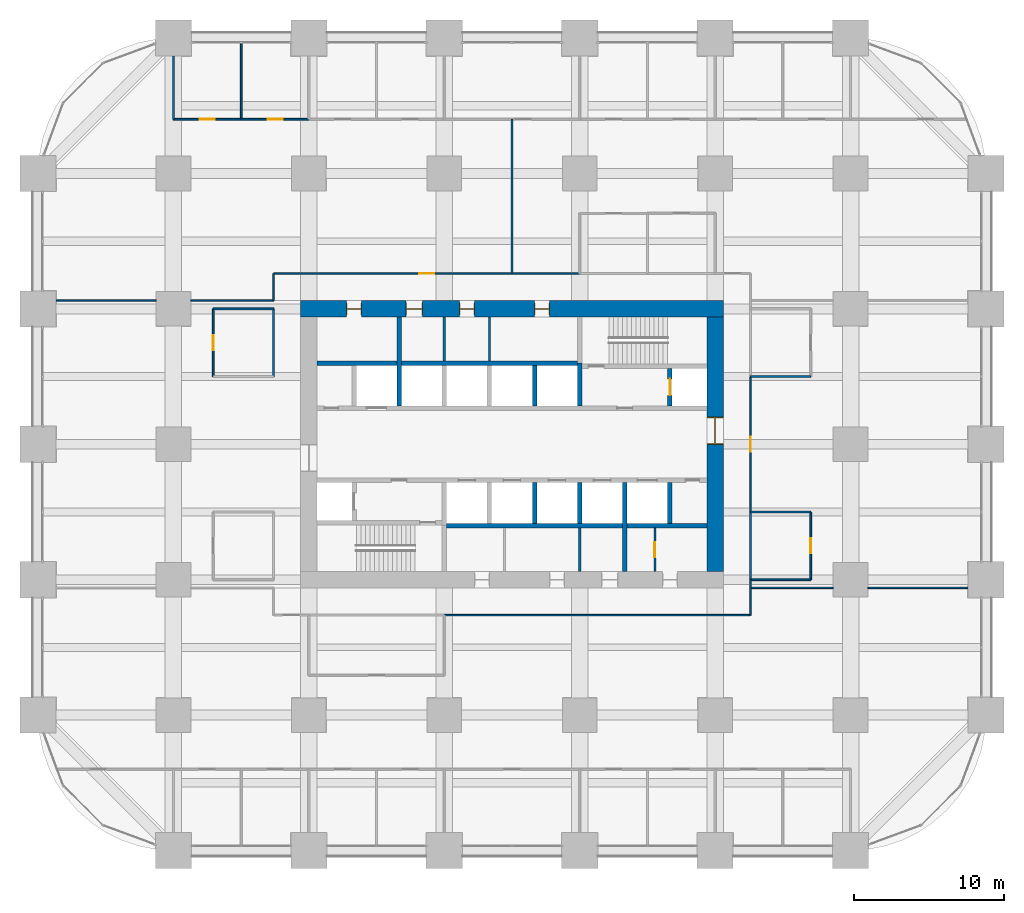
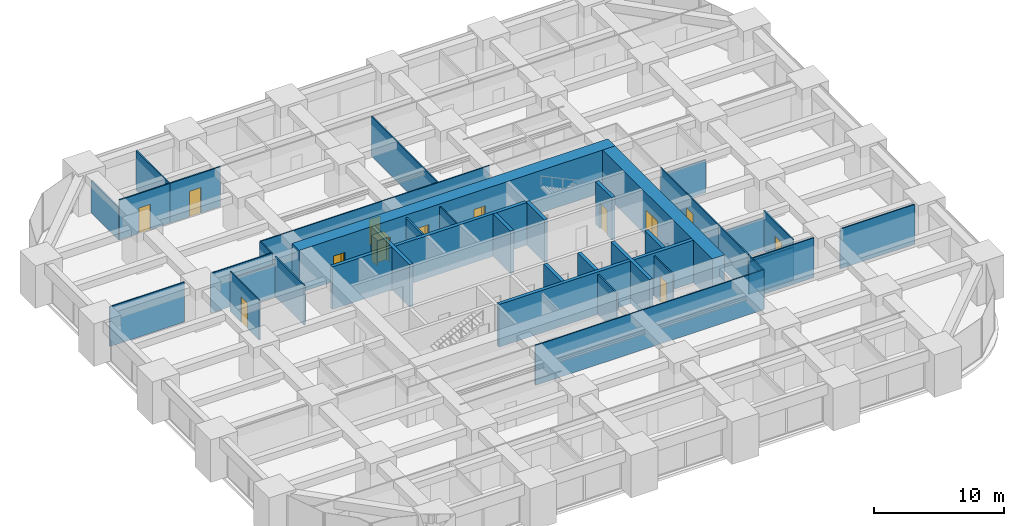
# One storey, part 41 of 45: 38 walls, 13 doors, 13 openings.
"""IFC4 building model written with IfcOpenShell, lengths in metres."""

from ifc_helpers import new_model, si_unit, direction, frame, frame_2d, origin, place, context, subcontext, project, spatial, rectangle, extrude, material, layer, layer_set, type_object, element, fill, save


model = new_model("IFC4")

# Units and contexts
model_context = context("Model", 3, precision=1e-05, world=origin(), true_north=direction((0.0, 1.0)))
body_context = subcontext(model_context, "Body", "Model", "MODEL_VIEW")
ifc_project = project(units=[si_unit("LENGTHUNIT", "METRE"), si_unit("AREAUNIT", "SQUARE_METRE"), si_unit("VOLUMEUNIT", "CUBIC_METRE"), si_unit("PLANEANGLEUNIT", "RADIAN"), si_unit("MASSUNIT", "GRAM", prefix="KILO")], contexts=[model_context])

# Site, building, storey
site_placement = place(None, origin())
site = spatial("IfcSite", under=ifc_project, at=site_placement, CompositionType="ELEMENT")
building_placement = place(site_placement, origin())
building = spatial("IfcBuilding", under=site, at=building_placement, Name="Zorevar Civic Tower", CompositionType="ELEMENT")
storey_placement = place(building_placement, frame((0.0, 0.0, 47.800048828125)))
storey = spatial("IfcBuildingStorey", under=building, at=storey_placement, Name="L11", CompositionType="ELEMENT", Elevation=47.800048828125)

# Wall, openings, doors
ifc_material_1 = material(Name="Concrete C50/60", Category="concrete")
ifc_layer_1 = layer(ifc_material_1, 1.10009765625)
ifc_layer_set_1 = layer_set([ifc_layer_1], Name="Core wall 1100")
wall_type_1 = type_object("IfcWallType", Name="Core wall 1100", PredefinedType="SHEAR", material=ifc_layer_set_1)
wall_1_placement = place(storey_placement, frame((45.550048828125, 36.0, 0.0), z_axis=(0.0, 0.0, 1.0), x_axis=(-1.0, 0.0, 0.0)))
wall_1 = element("IfcWall", 1, at=wall_1_placement, inside=storey, type_object=wall_type_1, Name="Core wall N L11", PredefinedType="SHEAR", context=body_context, shape_type="SweptSolid", body=[
    extrude(rectangle(XDim=28.10009765625, YDim=1.10009765625, at=frame_2d((14.050048828125, 0.0))), origin(), (0.0, 0.0, 1.0), 4.0),
])
opening_1_placement = place(wall_1_placement, frame((11.550048828125, 0.0, 0.0)))
opening_1 = element("IfcOpeningElement", 2, at=opening_1_placement, cuts=wall_1, Name="Opening L11.07", PredefinedType="OPENING", context=body_context, shape_type="SweptSolid", body=[
    extrude(rectangle(XDim=1.0, YDim=2.39990234375, at=frame_2d((0.5, 1.199951171875))), frame((0.0, 0.56005859375, 0.0), z_axis=(0.0, -1.0, 0.0), x_axis=(1.0, 0.0, 0.0)), (0.0, 0.0, 1.0), 1.1201171875),
])
opening_2_placement = place(wall_1_placement, frame((16.550048828125, 0.0, 0.0)))
opening_2 = element("IfcOpeningElement", 3, at=opening_2_placement, cuts=wall_1, Name="Opening L11.08", PredefinedType="OPENING", context=body_context, shape_type="SweptSolid", body=[
    extrude(rectangle(XDim=1.0, YDim=2.39990234375, at=frame_2d((0.5, 1.199951171875))), frame((0.0, 0.56005859375, 0.0), z_axis=(0.0, -1.0, 0.0), x_axis=(1.0, 0.0, 0.0)), (0.0, 0.0, 1.0), 1.1201171875),
])
opening_3_placement = place(wall_1_placement, frame((20.0, 0.0, 0.0)))
opening_3 = element("IfcOpeningElement", 4, at=opening_3_placement, cuts=wall_1, Name="Opening L11.09", PredefinedType="OPENING", context=body_context, shape_type="SweptSolid", body=[
    extrude(rectangle(XDim=1.10009765625, YDim=2.39990234375, at=frame_2d((0.550048828125, 1.199951171875))), frame((0.0, 0.56005859375, 0.0), z_axis=(0.0, -1.0, 0.0), x_axis=(1.0, 0.0, 0.0)), (0.0, 0.0, 1.0), 1.1201171875),
])
opening_4_placement = place(wall_1_placement, frame((24.050048828125, 0.0, 0.0)))
opening_4 = element("IfcOpeningElement", 5, at=opening_4_placement, cuts=wall_1, Name="Opening L11.10", PredefinedType="OPENING", context=body_context, shape_type="SweptSolid", body=[
    extrude(rectangle(XDim=1.0, YDim=2.39990234375, at=frame_2d((0.5, 1.199951171875))), frame((0.0, 0.56005859375, 0.0), z_axis=(0.0, -1.0, 0.0), x_axis=(1.0, 0.0, 0.0)), (0.0, 0.0, 1.0), 1.1201171875),
])
ifc_material_2 = material(Name="Timber door set", Category="wood")
door_type_1 = type_object("IfcDoorType", Name="Door D1 1000x2400", OperationType="SINGLE_SWING_LEFT", PredefinedType="DOOR", material=ifc_material_2)
door_1_placement = place(opening_1_placement, origin())
door_1 = element("IfcDoor", 6, at=door_1_placement, inside=storey, type_object=door_type_1, Name="Door L11 06", OperationType="SINGLE_SWING_RIGHT", OverallHeight=2.39990234375, OverallWidth=1.0, PredefinedType="DOOR", context=body_context, shape_type="SweptSolid", body=[
    extrude(rectangle(XDim=1.0, YDim=2.39990234375, at=frame_2d((0.5, 1.199951171875))), frame((0.0, 0.02490234375, 0.0), z_axis=(0.0, -1.0, 0.0), x_axis=(1.0, 0.0, 0.0)), (0.0, 0.0, 1.0), 0.050048828125),
    extrude(rectangle(XDim=0.04, YDim=2.39990234375, at=frame_2d((0.02001953125, 1.199951171875))), frame((0.0, 0.39990234375, 0.0), z_axis=(0.0, -1.0, 0.0), x_axis=(1.0, 0.0, 0.0)), (0.0, 0.0, 1.0), 0.800048828125),
    extrude(rectangle(XDim=0.04, YDim=2.39990234375, at=frame_2d((0.97998046875, 1.199951171875))), frame((0.0, 0.39990234375, 0.0), z_axis=(0.0, -1.0, 0.0), x_axis=(1.0, 0.0, 0.0)), (0.0, 0.0, 1.0), 0.800048828125),
    extrude(rectangle(XDim=1.0, YDim=0.04, at=frame_2d((0.5, 2.3798828125))), frame((0.0, 0.39990234375, 0.0), z_axis=(0.0, -1.0, 0.0), x_axis=(1.0, 0.0, 0.0)), (0.0, 0.0, 1.0), 0.800048828125),
])
fill(opening_1, door_1)
door_2_placement = place(opening_2_placement, origin())
door_2 = element("IfcDoor", 7, at=door_2_placement, inside=storey, type_object=door_type_1, Name="Door L11 07", OperationType="SINGLE_SWING_LEFT", OverallHeight=2.39990234375, OverallWidth=1.0, PredefinedType="DOOR", context=body_context, shape_type="SweptSolid", body=[
    extrude(rectangle(XDim=1.0, YDim=2.39990234375, at=frame_2d((0.5, 1.199951171875))), frame((0.0, 0.02490234375, 0.0), z_axis=(0.0, -1.0, 0.0), x_axis=(1.0, 0.0, 0.0)), (0.0, 0.0, 1.0), 0.050048828125),
    extrude(rectangle(XDim=0.04, YDim=2.39990234375, at=frame_2d((0.02001953125, 1.199951171875))), frame((0.0, 0.39990234375, 0.0), z_axis=(0.0, -1.0, 0.0), x_axis=(1.0, 0.0, 0.0)), (0.0, 0.0, 1.0), 0.800048828125),
    extrude(rectangle(XDim=0.04, YDim=2.39990234375, at=frame_2d((0.97998046875, 1.199951171875))), frame((0.0, 0.39990234375, 0.0), z_axis=(0.0, -1.0, 0.0), x_axis=(1.0, 0.0, 0.0)), (0.0, 0.0, 1.0), 0.800048828125),
    extrude(rectangle(XDim=1.0, YDim=0.04, at=frame_2d((0.5, 2.3798828125))), frame((0.0, 0.39990234375, 0.0), z_axis=(0.0, -1.0, 0.0), x_axis=(1.0, 0.0, 0.0)), (0.0, 0.0, 1.0), 0.800048828125),
])
fill(opening_2, door_2)
door_3_placement = place(opening_4_placement, origin())
door_3 = element("IfcDoor", 8, at=door_3_placement, inside=storey, type_object=door_type_1, Name="Door L11 09", OperationType="SINGLE_SWING_LEFT", OverallHeight=2.39990234375, OverallWidth=1.0, PredefinedType="DOOR", context=body_context, shape_type="SweptSolid", body=[
    extrude(rectangle(XDim=1.0, YDim=2.39990234375, at=frame_2d((0.5, 1.199951171875))), frame((0.0, 0.02490234375, 0.0), z_axis=(0.0, -1.0, 0.0), x_axis=(1.0, 0.0, 0.0)), (0.0, 0.0, 1.0), 0.050048828125),
    extrude(rectangle(XDim=0.04, YDim=2.39990234375, at=frame_2d((0.02001953125, 1.199951171875))), frame((0.0, 0.39990234375, 0.0), z_axis=(0.0, -1.0, 0.0), x_axis=(1.0, 0.0, 0.0)), (0.0, 0.0, 1.0), 0.800048828125),
    extrude(rectangle(XDim=0.04, YDim=2.39990234375, at=frame_2d((0.97998046875, 1.199951171875))), frame((0.0, 0.39990234375, 0.0), z_axis=(0.0, -1.0, 0.0), x_axis=(1.0, 0.0, 0.0)), (0.0, 0.0, 1.0), 0.800048828125),
    extrude(rectangle(XDim=1.0, YDim=0.04, at=frame_2d((0.5, 2.3798828125))), frame((0.0, 0.39990234375, 0.0), z_axis=(0.0, -1.0, 0.0), x_axis=(1.0, 0.0, 0.0)), (0.0, 0.0, 1.0), 0.800048828125),
])
fill(opening_4, door_3)
ifc_material_3 = material(Name="Timber door set", Category="wood")
door_type_2 = type_object("IfcDoorType", Name="Door D5 1100x2400", OperationType="SINGLE_SWING_LEFT", PredefinedType="DOOR", material=ifc_material_3)
door_4_placement = place(opening_3_placement, origin())
door_4 = element("IfcDoor", 9, at=door_4_placement, inside=storey, type_object=door_type_2, Name="Door L11 08", OperationType="SINGLE_SWING_LEFT", OverallHeight=2.39990234375, OverallWidth=1.10009765625, PredefinedType="DOOR", context=body_context, shape_type="SweptSolid", body=[
    extrude(rectangle(XDim=1.10009765625, YDim=2.39990234375, at=frame_2d((0.550048828125, 1.199951171875))), frame((0.0, 0.02490234375, 0.0), z_axis=(0.0, -1.0, 0.0), x_axis=(1.0, 0.0, 0.0)), (0.0, 0.0, 1.0), 0.050048828125),
    extrude(rectangle(XDim=0.04, YDim=2.39990234375, at=frame_2d((0.02001953125, 1.199951171875))), frame((0.0, 0.43994140625, 0.0), z_axis=(0.0, -1.0, 0.0), x_axis=(1.0, 0.0, 0.0)), (0.0, 0.0, 1.0), 0.880126953125),
    extrude(rectangle(XDim=0.04, YDim=2.39990234375, at=frame_2d((1.080078125, 1.199951171875))), frame((0.0, 0.43994140625, 0.0), z_axis=(0.0, -1.0, 0.0), x_axis=(1.0, 0.0, 0.0)), (0.0, 0.0, 1.0), 0.880126953125),
    extrude(rectangle(XDim=1.10009765625, YDim=0.04, at=frame_2d((0.550048828125, 2.3798828125))), frame((0.0, 0.43994140625, 0.0), z_axis=(0.0, -1.0, 0.0), x_axis=(1.0, 0.0, 0.0)), (0.0, 0.0, 1.0), 0.880126953125),
])
fill(opening_3, door_4)

# Wall, opening, door
wall_2_placement = place(storey_placement, frame((45.0, 18.550048828125, 0.0), z_axis=(0.0, 0.0, 1.0), x_axis=(0.0, 1.0, 0.0)))
wall_2 = element("IfcWall", 10, at=wall_2_placement, inside=storey, type_object=wall_type_1, Name="Core wall E L11", PredefinedType="SHEAR", context=body_context, shape_type="SweptSolid", body=[
    extrude(rectangle(XDim=16.89990234375, YDim=1.10009765625, at=frame_2d((8.449951171875, 0.0))), origin(), (0.0, 0.0, 1.0), 4.0),
])
opening_5_placement = place(wall_2_placement, frame((8.449951171875, 0.0, 0.0)))
opening_5 = element("IfcOpeningElement", 11, at=opening_5_placement, cuts=wall_2, Name="Opening L11.02", PredefinedType="OPENING", context=body_context, shape_type="SweptSolid", body=[
    extrude(rectangle(XDim=1.800048828125, YDim=2.39990234375, at=frame_2d((0.89990234375, 1.199951171875))), frame((0.0, 0.56005859375, 0.0), z_axis=(0.0, -1.0, 0.0), x_axis=(1.0, 0.0, 0.0)), (0.0, 0.0, 1.0), 1.1201171875),
])
ifc_material_4 = material(Name="Steel door set", Category="steel")
door_type_3 = type_object("IfcDoorType", Name="Fire door FD2 1800x2400", OperationType="DOUBLE_DOOR_DOUBLE_SWING", PredefinedType="DOOR", material=ifc_material_4)
door_5_placement = place(opening_5_placement, origin())
door_5 = element("IfcDoor", 12, at=door_5_placement, inside=storey, type_object=door_type_3, Name="Door L11 01", OperationType="DOUBLE_DOOR_DOUBLE_SWING", OverallHeight=2.39990234375, OverallWidth=1.800048828125, PredefinedType="DOOR", context=body_context, shape_type="SweptSolid", body=[
    extrude(rectangle(XDim=1.800048828125, YDim=2.39990234375, at=frame_2d((0.89990234375, 1.199951171875))), frame((0.0, 0.030029296875, 0.0), z_axis=(0.0, -1.0, 0.0), x_axis=(1.0, 0.0, 0.0)), (0.0, 0.0, 1.0), 0.06005859375),
    extrude(rectangle(XDim=0.04, YDim=2.39990234375, at=frame_2d((0.02001953125, 1.199951171875))), frame((0.0, 0.5498046875, 0.0), z_axis=(0.0, -1.0, 0.0), x_axis=(1.0, 0.0, 0.0)), (0.0, 0.0, 1.0), 1.099609375),
    extrude(rectangle(XDim=0.04, YDim=2.39990234375, at=frame_2d((1.780029296875, 1.199951171875))), frame((0.0, 0.5498046875, 0.0), z_axis=(0.0, -1.0, 0.0), x_axis=(1.0, 0.0, 0.0)), (0.0, 0.0, 1.0), 1.099609375),
    extrude(rectangle(XDim=1.800048828125, YDim=0.04, at=frame_2d((0.89990234375, 2.3798828125))), frame((0.0, 0.5498046875, 0.0), z_axis=(0.0, -1.0, 0.0), x_axis=(1.0, 0.0, 0.0)), (0.0, 0.0, 1.0), 1.099609375),
])
fill(opening_5, door_5)

# Walls
ifc_material_5 = material(Name="Laminated glass in black aluminium frame", Category="aluminium")
ifc_layer_2 = layer(ifc_material_5, 0.10009765625)
ifc_layer_set_2 = layer_set([ifc_layer_2], Name="Glazed partition 100")
wall_type_2 = type_object("IfcWallType", Name="Glazed partition 100", PredefinedType="PARTITIONING", material=ifc_layer_set_2)
wall_3_placement = place(storey_placement, frame((27.0, 15.64990234375, 0.0), z_axis=(0.0, 0.0, 1.0), x_axis=(1.0, 0.0, 0.0)))
element("IfcWall", 13, at=wall_3_placement, inside=storey, type_object=wall_type_2, Name="Glazed partition 100 L11", PredefinedType="PARTITIONING", context=body_context, shape_type="SweptSolid", body=[
    extrude(rectangle(XDim=20.35009765625, YDim=0.10009765625, at=frame_2d((10.175048828125, 0.0))), origin(), (0.0, 0.0, 1.0), 3.75),
])
wall_4_placement = place(storey_placement, frame((47.35009765625, 17.449951171875, 0.0), z_axis=(0.0, 0.0, 1.0), x_axis=(1.0, 0.0, 0.0)))
element("IfcWall", 14, at=wall_4_placement, inside=storey, type_object=wall_type_2, Name="Glazed partition 100 L11", PredefinedType="PARTITIONING", context=body_context, shape_type="SweptSolid", body=[
    extrude(rectangle(XDim=5.5, YDim=0.10009765625, at=frame_2d((2.75, 0.0))), origin(), (0.0, 0.0, 1.0), 3.75),
])
for number, where, z_axis, x_axis, name in (
    (15, (55.14990234375, 17.449951171875, 0.0), (0.0, 0.0, 1.0), (1.0, 0.0, 0.0), "Glazed partition 100 L11"),
    (16, (1.199951171875, 36.550048828125, 0.0), (0.0, 0.0, 1.0), (1.0, 0.0, 0.0), "Glazed partition 100 L11"),
):
    element("IfcWall", number, at=place(storey_placement, frame(where, z_axis=z_axis, x_axis=x_axis)), inside=storey, type_object=wall_type_2, Name=name, PredefinedType="PARTITIONING", context=body_context, shape_type="SweptSolid", body=[
        extrude(rectangle(XDim=6.650146484375, YDim=0.10009765625, at=frame_2d((3.3251953125, 0.0))), origin(), (0.0, 0.0, 1.0), 3.75),
    ])
wall_5_placement = place(storey_placement, frame((10.14990234375, 36.550048828125, 0.0), z_axis=(0.0, 0.0, 1.0), x_axis=(1.0, 0.0, 0.0)))
element("IfcWall", 17, at=wall_5_placement, inside=storey, type_object=wall_type_2, Name="Glazed partition 100 L11", PredefinedType="PARTITIONING", context=body_context, shape_type="SweptSolid", body=[
    extrude(rectangle(XDim=5.5, YDim=0.10009765625, at=frame_2d((2.75, 0.0))), origin(), (0.0, 0.0, 1.0), 3.75),
])

# Wall, opening, door
wall_6_placement = place(storey_placement, frame((15.64990234375, 38.35009765625, 0.0), z_axis=(0.0, 0.0, 1.0), x_axis=(1.0, 0.0, 0.0)))
wall_6 = element("IfcWall", 18, at=wall_6_placement, inside=storey, type_object=wall_type_2, Name="Glazed partition 100 L11", PredefinedType="PARTITIONING", context=body_context, shape_type="SweptSolid", body=[
    extrude(rectangle(XDim=20.35009765625, YDim=0.10009765625, at=frame_2d((10.175048828125, 0.0))), origin(), (0.0, 0.0, 1.0), 3.75),
])
opening_6_placement = place(wall_6_placement, frame((9.675048828125, 0.0, 0.0)))
opening_6 = element("IfcOpeningElement", 19, at=opening_6_placement, cuts=wall_6, Name="Opening L11.29", PredefinedType="OPENING", context=body_context, shape_type="SweptSolid", body=[
    extrude(rectangle(XDim=1.0, YDim=2.39990234375, at=frame_2d((0.5, 1.199951171875))), frame((0.0, 0.06005859375, 0.0), z_axis=(0.0, -1.0, 0.0), x_axis=(1.0, 0.0, 0.0)), (0.0, 0.0, 1.0), 0.1201171875),
])
ifc_material_6 = material(Name="Timber door set", Category="wood")
door_type_4 = type_object("IfcDoorType", Name="Glazed door GD1 1000x2400", OperationType="SINGLE_SWING_LEFT", PredefinedType="DOOR", material=ifc_material_6)
door_6_placement = place(opening_6_placement, origin())
door_6 = element("IfcDoor", 20, at=door_6_placement, inside=storey, type_object=door_type_4, Name="Door L11 D1", OperationType="SINGLE_SWING_LEFT", OverallHeight=2.39990234375, OverallWidth=1.0, PredefinedType="DOOR", context=body_context, shape_type="SweptSolid", body=[
    extrude(rectangle(XDim=1.0, YDim=2.39990234375, at=frame_2d((0.5, 1.199951171875))), frame((0.0, 0.02001953125, 0.0), z_axis=(0.0, -1.0, 0.0), x_axis=(1.0, 0.0, 0.0)), (0.0, 0.0, 1.0), 0.0400390625),
])
fill(opening_6, door_6)

# Walls
wall_7_placement = place(storey_placement, frame((15.64990234375, 36.550048828125, 0.0), z_axis=(0.0, 0.0, 1.0), x_axis=(0.0, 1.0, 0.0)))
element("IfcWall", 21, at=wall_7_placement, inside=storey, type_object=wall_type_2, Name="Glazed partition 100 L11", PredefinedType="PARTITIONING", context=body_context, shape_type="SweptSolid", body=[
    extrude(rectangle(XDim=1.800048828125, YDim=0.10009765625, at=frame_2d((0.89990234375, 0.0))), origin(), (0.0, 0.0, 1.0), 3.75),
])
wall_8_placement = place(storey_placement, frame((31.5, 38.35009765625, 0.0), z_axis=(0.0, 0.0, 1.0), x_axis=(0.0, 1.0, 0.0)))
element("IfcWall", 22, at=wall_8_placement, inside=storey, type_object=wall_type_2, Name="Glazed partition 100 L11", PredefinedType="PARTITIONING", context=body_context, shape_type="SweptSolid", body=[
    extrude(rectangle(XDim=10.260009765625, YDim=0.10009765625, at=frame_2d((5.1298828125, 0.0))), origin(), (0.0, 0.0, 1.0), 3.75),
])
wall_9_placement = place(storey_placement, frame((47.35009765625, 15.64990234375, 0.0), z_axis=(0.0, 0.0, 1.0), x_axis=(0.0, 1.0, 0.0)))
element("IfcWall", 23, at=wall_9_placement, inside=storey, type_object=wall_type_2, Name="Glazed partition 100 L11", PredefinedType="PARTITIONING", context=body_context, shape_type="SweptSolid", body=[
    extrude(rectangle(XDim=2.35009765625, YDim=0.10009765625, at=frame_2d((1.175048828125, 0.0))), origin(), (0.0, 0.0, 1.0), 3.75),
])

# Wall, opening, door
wall_10_placement = place(storey_placement, frame((47.35009765625, 22.5, 0.0), z_axis=(0.0, 0.0, 1.0), x_axis=(0.0, 1.0, 0.0)))
wall_10 = element("IfcWall", 24, at=wall_10_placement, inside=storey, type_object=wall_type_2, Name="Glazed partition 100 L11", PredefinedType="PARTITIONING", context=body_context, shape_type="SweptSolid", body=[
    extrude(rectangle(XDim=9.0, YDim=0.10009765625, at=frame_2d((4.5, 0.0))), origin(), (0.0, 0.0, 1.0), 3.75),
])
opening_7_placement = place(wall_10_placement, frame((4.0, 0.0, 0.0)))
opening_7 = element("IfcOpeningElement", 25, at=opening_7_placement, cuts=wall_10, Name="Opening L11.45", PredefinedType="OPENING", context=body_context, shape_type="SweptSolid", body=[
    extrude(rectangle(XDim=1.0, YDim=2.39990234375, at=frame_2d((0.5, 1.199951171875))), frame((0.0, 0.06005859375, 0.0), z_axis=(0.0, -1.0, 0.0), x_axis=(1.0, 0.0, 0.0)), (0.0, 0.0, 1.0), 0.1201171875),
])
door_7_placement = place(opening_7_placement, origin())
door_7 = element("IfcDoor", 26, at=door_7_placement, inside=storey, type_object=door_type_4, Name="Door L11 D1", OperationType="SINGLE_SWING_LEFT", OverallHeight=2.39990234375, OverallWidth=1.0, PredefinedType="DOOR", context=body_context, shape_type="SweptSolid", body=[
    extrude(rectangle(XDim=1.0, YDim=2.39990234375, at=frame_2d((0.5, 1.199951171875))), frame((0.0, 0.02001953125, 0.0), z_axis=(0.0, -1.0, 0.0), x_axis=(1.0, 0.0, 0.0)), (0.0, 0.0, 1.0), 0.0400390625),
])
fill(opening_7, door_7)

ifc_material_7 = material(Name="Concrete C40/50", Category="concrete")
ifc_layer_3 = layer(ifc_material_7, 0.300048828125)
ifc_layer_set_3 = layer_set([ifc_layer_3], Name="Inner core wall 300")
wall_type_3 = type_object("IfcWallType", Name="Inner core wall 300", PredefinedType="SHEAR", material=ifc_layer_set_3)
wall_11_placement = place(storey_placement, frame((42.0, 29.550048828125, 0.0), z_axis=(0.0, 0.0, 1.0), x_axis=(0.0, 1.0, 0.0)))
wall_11 = element("IfcWall", 27, at=wall_11_placement, inside=storey, type_object=wall_type_3, Name="Inner core wall N02 L11", PredefinedType="SHEAR", context=body_context, shape_type="SweptSolid", body=[
    extrude(rectangle(XDim=2.5, YDim=0.300048828125, at=frame_2d((1.25, 0.0))), origin(), (0.0, 0.0, 1.0), 4.0),
])
opening_8_placement = place(wall_11_placement, frame((0.699951171875, 0.0, 0.0)))
opening_8 = element("IfcOpeningElement", 28, at=opening_8_placement, cuts=wall_11, Name="Opening L11.FL2", PredefinedType="OPENING", context=body_context, shape_type="SweptSolid", body=[
    extrude(rectangle(XDim=1.10009765625, YDim=2.39990234375, at=frame_2d((0.550048828125, 1.199951171875))), frame((0.0, 0.159912109375, 0.0), z_axis=(0.0, -1.0, 0.0), x_axis=(1.0, 0.0, 0.0)), (0.0, 0.0, 1.0), 0.320068359375),
])
ifc_material_8 = material(Name="Steel door set", Category="steel")
door_type_5 = type_object("IfcDoorType", Name="Firefighting lift landing door LD3 1100x2400", OperationType="DOUBLE_DOOR_SLIDING", PredefinedType="DOOR", material=ifc_material_8)
door_8_placement = place(opening_8_placement, origin())
door_8 = element("IfcDoor", 29, at=door_8_placement, inside=storey, type_object=door_type_5, Name="Landing door FL2 L11", OperationType="DOUBLE_DOOR_SLIDING", OverallHeight=2.39990234375, OverallWidth=1.10009765625, PredefinedType="DOOR", context=body_context, shape_type="SweptSolid", body=[
    extrude(rectangle(XDim=1.10009765625, YDim=2.39990234375, at=frame_2d((0.550048828125, 1.199951171875))), frame((0.0, 0.030029296875, 0.0), z_axis=(0.0, -1.0, 0.0), x_axis=(1.0, 0.0, 0.0)), (0.0, 0.0, 1.0), 0.06005859375),
])
fill(opening_8, door_8)

# Walls
for number, where, z_axis, x_axis, name in (
    (30, (27.14990234375, 21.60009765625, 0.0), (0.0, 0.0, 1.0), (1.0, 0.0, 0.0), "Inner core wall S04 L11"),
    (31, (18.550048828125, 32.39990234375, 0.0), (0.0, 0.0, 1.0), (1.0, 0.0, 0.0), "Inner core wall N04 L11"),
):
    element("IfcWall", number, at=place(storey_placement, frame(where, z_axis=z_axis, x_axis=x_axis)), inside=storey, type_object=wall_type_3, Name=name, PredefinedType="SHEAR", context=body_context, shape_type="SweptSolid", body=[
        extrude(rectangle(XDim=17.300048828125, YDim=0.300048828125, at=frame_2d((8.64990234375, 0.0))), origin(), (0.0, 0.0, 1.0), 4.0),
    ])
for number, where, z_axis, x_axis, name in (
    (32, (33.0, 29.550048828125, 0.0), (0.0, 0.0, 1.0), (0.0, 1.0, 0.0), "Inner core wall N05 L11"),
    (33, (33.0, 21.75, 0.0), (0.0, 0.0, 1.0), (0.0, 1.0, 0.0), "Inner core wall S06 L11"),
    (34, (36.0, 21.75, 0.0), (0.0, 0.0, 1.0), (0.0, 1.0, 0.0), "Inner core wall S07 L11"),
):
    element("IfcWall", number, at=place(storey_placement, frame(where, z_axis=z_axis, x_axis=x_axis)), inside=storey, type_object=wall_type_3, Name=name, PredefinedType="SHEAR", context=body_context, shape_type="SweptSolid", body=[
        extrude(rectangle(XDim=2.699951171875, YDim=0.300048828125, at=frame_2d((1.35009765625, 0.0))), origin(), (0.0, 0.0, 1.0), 4.0),
    ])
for number, where, z_axis, x_axis, name in (
    (35, (39.0, 18.550048828125, 0.0), (0.0, 0.0, 1.0), (0.0, 1.0, 0.0), "Inner core wall S08 L11"),
    (36, (24.0, 29.550048828125, 0.0), (0.0, 0.0, 1.0), (0.0, 1.0, 0.0), "Inner core wall N08 L11"),
):
    element("IfcWall", number, at=place(storey_placement, frame(where, z_axis=z_axis, x_axis=x_axis)), inside=storey, type_object=wall_type_3, Name=name, PredefinedType="SHEAR", context=body_context, shape_type="SweptSolid", body=[
        extrude(rectangle(XDim=5.89990234375, YDim=0.300048828125, at=frame_2d((2.949951171875, 0.0))), origin(), (0.0, 0.0, 1.0), 4.0),
    ])
wall_12_placement = place(storey_placement, frame((42.0, 21.75, 0.0), z_axis=(0.0, 0.0, 1.0), x_axis=(0.0, 1.0, 0.0)))
element("IfcWall", 37, at=wall_12_placement, inside=storey, type_object=wall_type_3, Name="Inner core wall S09 L11", PredefinedType="SHEAR", context=body_context, shape_type="SweptSolid", body=[
    extrude(rectangle(XDim=2.699951171875, YDim=0.300048828125, at=frame_2d((1.35009765625, 0.0))), origin(), (0.0, 0.0, 1.0), 4.0),
])
wall_13_placement = place(storey_placement, frame((36.0, 29.550048828125, 0.0), z_axis=(0.0, 0.0, 1.0), x_axis=(0.0, 1.0, 0.0)))
element("IfcWall", 38, at=wall_13_placement, inside=storey, type_object=wall_type_3, Name="Inner core wall N10 L11", PredefinedType="SHEAR", context=body_context, shape_type="SweptSolid", body=[
    extrude(rectangle(XDim=2.849853515625, YDim=0.300048828125, at=frame_2d((1.4248046875, 0.0))), origin(), (0.0, 0.0, 1.0), 4.0),
])
ifc_material_9 = material(Name="Gypsum board on steel studs", Category="steel")
ifc_layer_4 = layer(ifc_material_9, 0.1201171875)
ifc_layer_set_4 = layer_set([ifc_layer_4], Name="Partition 120")
wall_type_4 = type_object("IfcWallType", Name="Partition 120", PredefinedType="PARTITIONING", material=ifc_layer_set_4)
wall_14_placement = place(storey_placement, frame((47.35009765625, 18.0, 0.0), z_axis=(0.0, 0.0, 1.0), x_axis=(1.0, 0.0, 0.0)))
element("IfcWall", 39, at=wall_14_placement, inside=storey, type_object=wall_type_4, Name="Partition 120 L11", PredefinedType="PARTITIONING", context=body_context, shape_type="SweptSolid", body=[
    extrude(rectangle(XDim=4.0, YDim=0.1201171875, at=frame_2d((2.0, 0.0))), origin(), (0.0, 0.0, 1.0), 3.050048828125),
])
for number, where, z_axis, x_axis, name in (
    (40, (47.35009765625, 22.5, 0.0), (0.0, 0.0, 1.0), (1.0, 0.0, 0.0), "Partition 120 L11"),
    (41, (47.35009765625, 31.5, 0.0), (0.0, 0.0, 1.0), (1.0, 0.0, 0.0), "Partition 120 L11"),
):
    element("IfcWall", number, at=place(storey_placement, frame(where, z_axis=z_axis, x_axis=x_axis)), inside=storey, type_object=wall_type_4, Name=name, PredefinedType="PARTITIONING", context=body_context, shape_type="SweptSolid", body=[
        extrude(rectangle(XDim=4.0, YDim=0.1201171875, at=frame_2d((2.0, 0.0))), origin(), (0.0, 0.0, 1.0), 3.099853515625),
    ])
wall_15_placement = place(storey_placement, frame((11.64990234375, 36.0, 0.0), z_axis=(0.0, 0.0, 1.0), x_axis=(1.0, 0.0, 0.0)))
element("IfcWall", 42, at=wall_15_placement, inside=storey, type_object=wall_type_4, Name="Partition 120 L11", PredefinedType="PARTITIONING", context=body_context, shape_type="SweptSolid", body=[
    extrude(rectangle(XDim=4.0, YDim=0.1201171875, at=frame_2d((2.0, 0.0))), origin(), (0.0, 0.0, 1.0), 3.050048828125),
])

# Wall, opening, door
wall_16_placement = place(storey_placement, frame((9.0, 48.60009765625, 0.0), z_axis=(0.0, 0.0, 1.0), x_axis=(1.0, 0.0, 0.0)))
wall_16 = element("IfcWall", 43, at=wall_16_placement, inside=storey, type_object=wall_type_4, Name="Partition 120 L11", PredefinedType="PARTITIONING", context=body_context, shape_type="SweptSolid", body=[
    extrude(rectangle(XDim=4.5, YDim=0.1201171875, at=frame_2d((2.25, 0.0))), origin(), (0.0, 0.0, 1.0), 3.75),
])
opening_9_placement = place(wall_16_placement, frame((1.75, 0.0, 0.0)))
opening_9 = element("IfcOpeningElement", 44, at=opening_9_placement, cuts=wall_16, Name="Opening L11.33", PredefinedType="OPENING", context=body_context, shape_type="SweptSolid", body=[
    extrude(rectangle(XDim=1.0, YDim=2.39990234375, at=frame_2d((0.5, 1.199951171875))), frame((0.0, 0.070068359375, 0.0), z_axis=(0.0, -1.0, 0.0), x_axis=(1.0, 0.0, 0.0)), (0.0, 0.0, 1.0), 0.14013671875),
])
door_9_placement = place(opening_9_placement, origin())
door_9 = element("IfcDoor", 45, at=door_9_placement, inside=storey, type_object=door_type_1, Name="Door L11 D1", OperationType="SINGLE_SWING_LEFT", OverallHeight=2.39990234375, OverallWidth=1.0, PredefinedType="DOOR", context=body_context, shape_type="SweptSolid", body=[
    extrude(rectangle(XDim=1.0, YDim=2.39990234375, at=frame_2d((0.5, 1.199951171875))), frame((0.0, 0.02490234375, 0.0), z_axis=(0.0, -1.0, 0.0), x_axis=(1.0, 0.0, 0.0)), (0.0, 0.0, 1.0), 0.050048828125),
])
fill(opening_9, door_9)

wall_17_placement = place(storey_placement, frame((13.5, 48.60009765625, 0.0), z_axis=(0.0, 0.0, 1.0), x_axis=(1.0, 0.0, 0.0)))
wall_17 = element("IfcWall", 46, at=wall_17_placement, inside=storey, type_object=wall_type_4, Name="Partition 120 L11", PredefinedType="PARTITIONING", context=body_context, shape_type="SweptSolid", body=[
    extrude(rectangle(XDim=4.5, YDim=0.1201171875, at=frame_2d((2.25, 0.0))), origin(), (0.0, 0.0, 1.0), 3.75),
])
opening_10_placement = place(wall_17_placement, frame((1.75, 0.0, 0.0)))
opening_10 = element("IfcOpeningElement", 47, at=opening_10_placement, cuts=wall_17, Name="Opening L11.34", PredefinedType="OPENING", context=body_context, shape_type="SweptSolid", body=[
    extrude(rectangle(XDim=1.0, YDim=2.39990234375, at=frame_2d((0.5, 1.199951171875))), frame((0.0, 0.070068359375, 0.0), z_axis=(0.0, -1.0, 0.0), x_axis=(1.0, 0.0, 0.0)), (0.0, 0.0, 1.0), 0.14013671875),
])
door_10_placement = place(opening_10_placement, origin())
door_10 = element("IfcDoor", 48, at=door_10_placement, inside=storey, type_object=door_type_1, Name="Door L11 D1", OperationType="SINGLE_SWING_LEFT", OverallHeight=2.39990234375, OverallWidth=1.0, PredefinedType="DOOR", context=body_context, shape_type="SweptSolid", body=[
    extrude(rectangle(XDim=1.0, YDim=2.39990234375, at=frame_2d((0.5, 1.199951171875))), frame((0.0, 0.02490234375, 0.0), z_axis=(0.0, -1.0, 0.0), x_axis=(1.0, 0.0, 0.0)), (0.0, 0.0, 1.0), 0.050048828125),
])
fill(opening_10, door_10)

# Wall
wall_18_placement = place(storey_placement, frame((9.0, 48.60009765625, 0.0), z_axis=(0.0, 0.0, 1.0), x_axis=(0.0, 1.0, 0.0)))
element("IfcWall", 49, at=wall_18_placement, inside=storey, type_object=wall_type_4, Name="Partition 120 L11", PredefinedType="PARTITIONING", context=body_context, shape_type="SweptSolid", body=[
    extrude(rectangle(XDim=4.199951171875, YDim=0.1201171875, at=frame_2d((2.10009765625, 0.0))), origin(), (0.0, 0.0, 1.0), 3.050048828125),
])

# Wall, opening, door
wall_19_placement = place(storey_placement, frame((11.64990234375, 31.5, 0.0), z_axis=(0.0, 0.0, 1.0), x_axis=(0.0, 1.0, 0.0)))
wall_19 = element("IfcWall", 50, at=wall_19_placement, inside=storey, type_object=wall_type_4, Name="Partition 120 L11", PredefinedType="PARTITIONING", context=body_context, shape_type="SweptSolid", body=[
    extrude(rectangle(XDim=4.5, YDim=0.1201171875, at=frame_2d((2.25, 0.0))), origin(), (0.0, 0.0, 1.0), 3.75),
])
opening_11_placement = place(wall_19_placement, frame((1.75, 0.0, 0.0)))
opening_11 = element("IfcOpeningElement", 51, at=opening_11_placement, cuts=wall_19, Name="Opening L11.44", PredefinedType="OPENING", context=body_context, shape_type="SweptSolid", body=[
    extrude(rectangle(XDim=1.0, YDim=2.39990234375, at=frame_2d((0.5, 1.199951171875))), frame((0.0, 0.070068359375, 0.0), z_axis=(0.0, -1.0, 0.0), x_axis=(1.0, 0.0, 0.0)), (0.0, 0.0, 1.0), 0.14013671875),
])
door_11_placement = place(opening_11_placement, origin())
door_11 = element("IfcDoor", 52, at=door_11_placement, inside=storey, type_object=door_type_1, Name="Door L11 D1", OperationType="SINGLE_SWING_LEFT", OverallHeight=2.39990234375, OverallWidth=1.0, PredefinedType="DOOR", context=body_context, shape_type="SweptSolid", body=[
    extrude(rectangle(XDim=1.0, YDim=2.39990234375, at=frame_2d((0.5, 1.199951171875))), frame((0.0, 0.02490234375, 0.0), z_axis=(0.0, -1.0, 0.0), x_axis=(1.0, 0.0, 0.0)), (0.0, 0.0, 1.0), 0.050048828125),
])
fill(opening_11, door_11)

# Walls
wall_20_placement = place(storey_placement, frame((13.5, 48.60009765625, 0.0), z_axis=(0.0, 0.0, 1.0), x_axis=(0.0, 1.0, 0.0)))
element("IfcWall", 53, at=wall_20_placement, inside=storey, type_object=wall_type_4, Name="Partition 120 L11", PredefinedType="PARTITIONING", context=body_context, shape_type="SweptSolid", body=[
    extrude(rectangle(XDim=5.08984375, YDim=0.1201171875, at=frame_2d((2.544921875, 0.0))), origin(), (0.0, 0.0, 1.0), 3.75),
])
for number, where, z_axis, x_axis, name in (
    (54, (15.64990234375, 31.5, 0.0), (0.0, 0.0, 1.0), (0.0, 1.0, 0.0), "Partition 120 L11"),
    (55, (47.35009765625, 18.0, 0.0), (0.0, 0.0, 1.0), (0.0, 1.0, 0.0), "Partition 120 L11"),
):
    element("IfcWall", number, at=place(storey_placement, frame(where, z_axis=z_axis, x_axis=x_axis)), inside=storey, type_object=wall_type_4, Name=name, PredefinedType="PARTITIONING", context=body_context, shape_type="SweptSolid", body=[
        extrude(rectangle(XDim=4.5, YDim=0.1201171875, at=frame_2d((2.25, 0.0))), origin(), (0.0, 0.0, 1.0), 3.75),
    ])

# Wall, opening, door
wall_21_placement = place(storey_placement, frame((51.35009765625, 18.0, 0.0), z_axis=(0.0, 0.0, 1.0), x_axis=(0.0, 1.0, 0.0)))
wall_21 = element("IfcWall", 56, at=wall_21_placement, inside=storey, type_object=wall_type_4, Name="Partition 120 L11", PredefinedType="PARTITIONING", context=body_context, shape_type="SweptSolid", body=[
    extrude(rectangle(XDim=4.5, YDim=0.1201171875, at=frame_2d((2.25, 0.0))), origin(), (0.0, 0.0, 1.0), 3.75),
])
opening_12_placement = place(wall_21_placement, frame((1.75, 0.0, 0.0)))
opening_12 = element("IfcOpeningElement", 57, at=opening_12_placement, cuts=wall_21, Name="Opening L11.47", PredefinedType="OPENING", context=body_context, shape_type="SweptSolid", body=[
    extrude(rectangle(XDim=1.0, YDim=2.39990234375, at=frame_2d((0.5, 1.199951171875))), frame((0.0, 0.070068359375, 0.0), z_axis=(0.0, -1.0, 0.0), x_axis=(1.0, 0.0, 0.0)), (0.0, 0.0, 1.0), 0.14013671875),
])
door_12_placement = place(opening_12_placement, origin())
door_12 = element("IfcDoor", 58, at=door_12_placement, inside=storey, type_object=door_type_1, Name="Door L11 D1", OperationType="SINGLE_SWING_LEFT", OverallHeight=2.39990234375, OverallWidth=1.0, PredefinedType="DOOR", context=body_context, shape_type="SweptSolid", body=[
    extrude(rectangle(XDim=1.0, YDim=2.39990234375, at=frame_2d((0.5, 1.199951171875))), frame((0.0, 0.02490234375, 0.0), z_axis=(0.0, -1.0, 0.0), x_axis=(1.0, 0.0, 0.0)), (0.0, 0.0, 1.0), 0.050048828125),
])
fill(opening_12, door_12)

# Wall
wall_22_placement = place(storey_placement, frame((30.0, 32.550048828125, 0.0), z_axis=(0.0, 0.0, 1.0), x_axis=(0.0, 1.0, 0.0)))
element("IfcWall", 59, at=wall_22_placement, inside=storey, type_object=wall_type_4, Name="Partition L11", PredefinedType="PARTITIONING", context=body_context, shape_type="SweptSolid", body=[
    extrude(rectangle(XDim=2.89990234375, YDim=0.1201171875, at=frame_2d((1.449951171875, 0.0))), origin(), (0.0, 0.0, 1.0), 3.75),
])

# Wall, opening, door
wall_23_placement = place(storey_placement, frame((41.0, 18.550048828125, 0.0), z_axis=(0.0, 0.0, 1.0), x_axis=(0.0, 1.0, 0.0)))
wall_23 = element("IfcWall", 60, at=wall_23_placement, inside=storey, type_object=wall_type_4, Name="Partition L11", PredefinedType="PARTITIONING", context=body_context, shape_type="SweptSolid", body=[
    extrude(rectangle(XDim=2.89990234375, YDim=0.1201171875, at=frame_2d((1.449951171875, 0.0))), origin(), (0.0, 0.0, 1.0), 3.75),
])
opening_13_placement = place(wall_23_placement, frame((0.949951171875, 0.0, 0.0)))
opening_13 = element("IfcOpeningElement", 61, at=opening_13_placement, cuts=wall_23, Name="Opening L11.48", PredefinedType="OPENING", context=body_context, shape_type="SweptSolid", body=[
    extrude(rectangle(XDim=1.0, YDim=2.39990234375, at=frame_2d((0.5, 1.199951171875))), frame((0.0, 0.070068359375, 0.0), z_axis=(0.0, -1.0, 0.0), x_axis=(1.0, 0.0, 0.0)), (0.0, 0.0, 1.0), 0.14013671875),
])
ifc_material_10 = material(Name="Steel door set", Category="steel")
door_type_6 = type_object("IfcDoorType", Name="Fire door FD1 1000x2400", OperationType="SINGLE_SWING_LEFT", PredefinedType="DOOR", material=ifc_material_10)
door_13_placement = place(opening_13_placement, origin())
door_13 = element("IfcDoor", 62, at=door_13_placement, inside=storey, type_object=door_type_6, Name="Door L11 ES", OperationType="SINGLE_SWING_RIGHT", OverallHeight=2.39990234375, OverallWidth=1.0, PredefinedType="DOOR", context=body_context, shape_type="SweptSolid", body=[
    extrude(rectangle(XDim=1.0, YDim=2.39990234375, at=frame_2d((0.5, 1.199951171875))), frame((0.0, 0.030029296875, 0.0), z_axis=(0.0, -1.0, 0.0), x_axis=(1.0, 0.0, 0.0)), (0.0, 0.0, 1.0), 0.06005859375),
])
fill(opening_13, door_13)

# Walls
ifc_material_11 = material(Name="Gypsum board on steel studs, moisture resistant", Category="steel")
ifc_layer_5 = layer(ifc_material_11, 0.14990234375)
ifc_layer_set_5 = layer_set([ifc_layer_5], Name="WC partition 150")
wall_type_5 = type_object("IfcWallType", Name="WC partition 150", PredefinedType="PARTITIONING", material=ifc_layer_set_5)
for number, where, z_axis, x_axis, name in (
    (63, (36.0, 18.550048828125, 0.0), (0.0, 0.0, 1.0), (0.0, 1.0, 0.0), "WC partition L11"),
    (64, (27.0, 32.550048828125, 0.0), (0.0, 0.0, 1.0), (0.0, 1.0, 0.0), "WC partition L11"),
):
    element("IfcWall", number, at=place(storey_placement, frame(where, z_axis=z_axis, x_axis=x_axis)), inside=storey, type_object=wall_type_5, Name=name, PredefinedType="PARTITIONING", context=body_context, shape_type="SweptSolid", body=[
        extrude(rectangle(XDim=2.89990234375, YDim=0.14990234375, at=frame_2d((1.449951171875, 0.0))), origin(), (0.0, 0.0, 1.0), 3.75),
    ])

save(model, "model.ifc")
